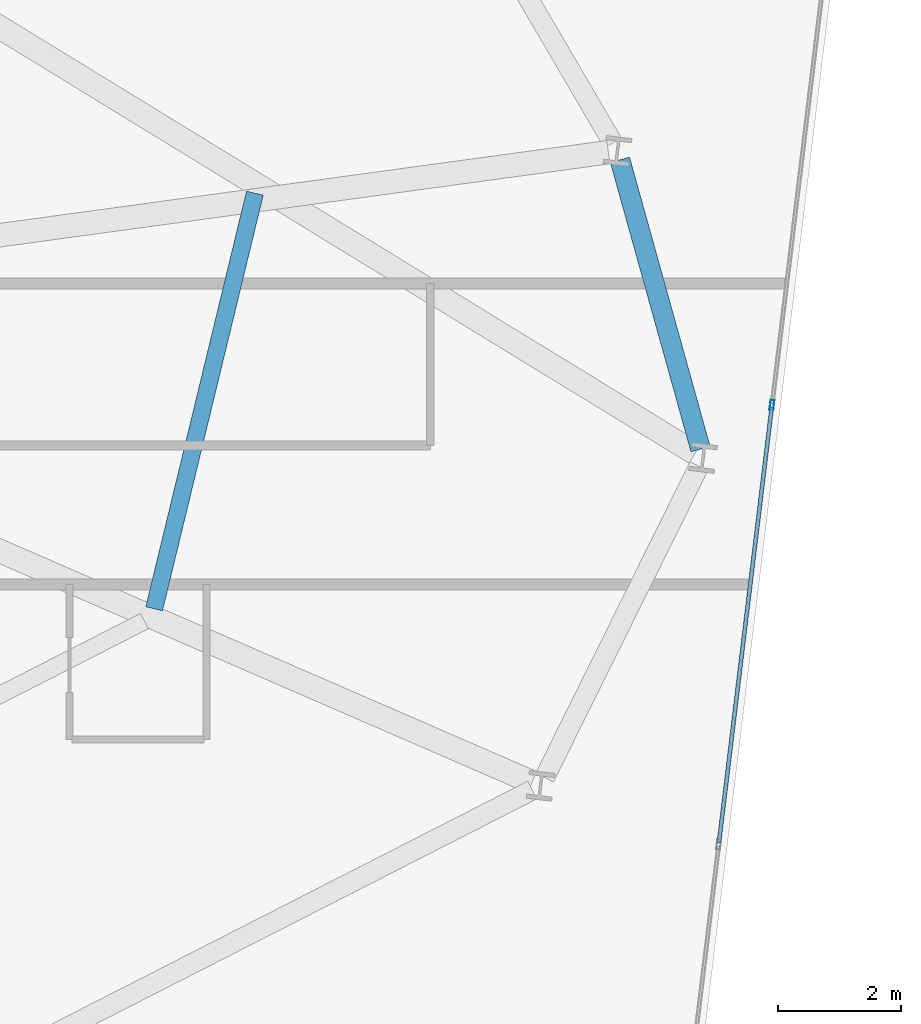
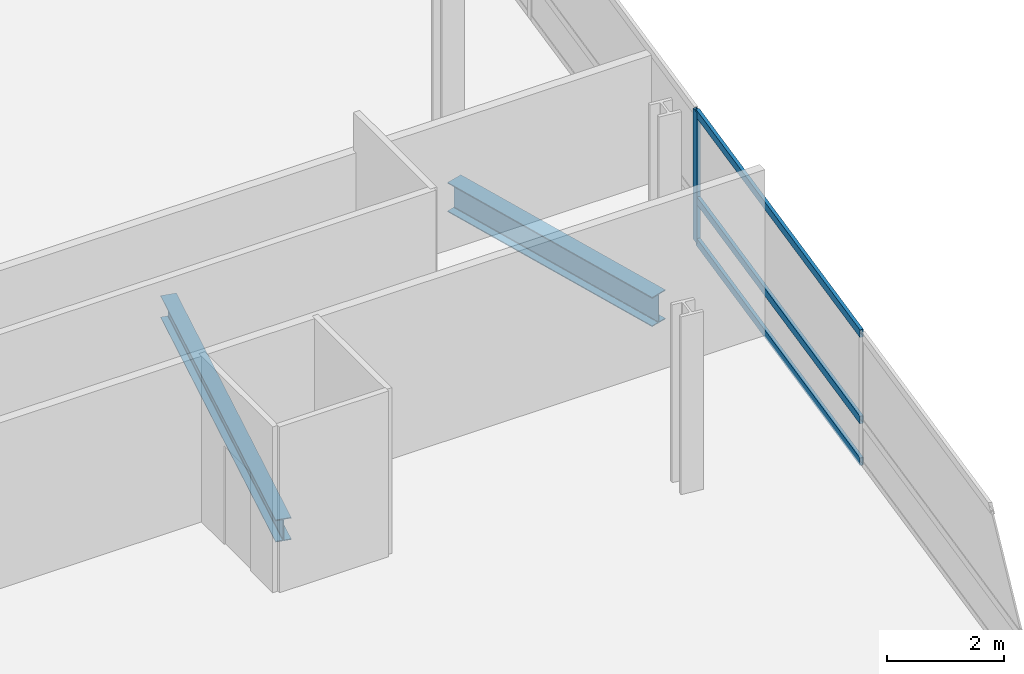
# One storey, part 15 of 25: 4 members, 2 beams, 1 element without a shape of its own.
"""IFC4 building model written with IfcOpenShell, lengths in metres."""

import ifcopenshell
import ifcopenshell.guid

model = None  # the IFC model being written
_history = None  # IfcOwnerHistory: only IFC2X3 demands one
_inside = {}  # id of a spatial element -> (the spatial element, [elements in it])
_under = {}  # id of a project, library or spatial element -> (it, [spatial elements below it])
_declared = {}  # id of a project -> (the project, [libraries it declares])
_typed = {}  # id of a type object -> (the type object, [elements of that type])
_made_of = {}  # id of a material, layer set ... -> (it, [elements and type objects made of it])


def new_model(schema):
    """Start an empty IFC model of exactly this schema.

    Asked for "IFC4X3", IfcOpenShell would pick the latest addendum, in which some entities
    have other attributes; the version numbers below select the first issue.
    IFC2X3 requires an IfcOwnerHistory on every rooted entity: one is made here for all.
    """
    global model, _history
    if schema == "IFC4X3":
        model = ifcopenshell.file(schema_version=(4, 3, 0, 0))
    else:
        model = ifcopenshell.file(schema=schema)
    _inside.clear()
    _under.clear()
    _declared.clear()
    _typed.clear()
    _made_of.clear()
    _history = None
    if model.schema == "IFC2X3":
        org = make("IfcOrganization", Name="unknown")
        user = make(
            "IfcPersonAndOrganization",
            ThePerson=make("IfcPerson", FamilyName="unknown"),
            TheOrganization=org,
        )
        app = make(
            "IfcApplication",
            ApplicationDeveloper=org,
            Version="unknown",
            ApplicationFullName="unknown",
            ApplicationIdentifier="unknown",
        )
        _history = make(
            "IfcOwnerHistory",
            OwningUser=user,
            OwningApplication=app,
            ChangeAction="ADDED",
            CreationDate=0,
        )
    return model


def make(cls, **values):
    """One entity of the class cls with the attributes given. An attribute that is None is left unset."""
    return model.create_entity(
        cls, **{name: value for name, value in values.items() if value is not None}
    )


def rooted(cls, **values):
    """An entity with a GlobalId (a new one), such as an element, a storey or a relation."""
    return make(cls, GlobalId=ifcopenshell.guid.new(), OwnerHistory=_history, **values)


def si_unit(unit_type, name, prefix=None):
    """IfcSIUnit, for example si_unit("LENGTHUNIT", "METRE", prefix="MILLI")."""
    return make("IfcSIUnit", UnitType=unit_type, Prefix=prefix, Name=name)


def assignment(units):
    """IfcUnitAssignment: the units of a project."""
    return None if units is None else make("IfcUnitAssignment", Units=units)


def point(xyz):
    """IfcCartesianPoint."""
    return None if xyz is None else make("IfcCartesianPoint", Coordinates=xyz)


def direction(xyz):
    """IfcDirection."""
    return None if xyz is None else make("IfcDirection", DirectionRatios=xyz)


def frame(location, z_axis=None, x_axis=None):
    """IfcAxis2Placement3D, a coordinate frame: its origin and axes. An axis left out is left unset."""
    return make(
        "IfcAxis2Placement3D",
        Location=point(location),
        Axis=direction(z_axis),
        RefDirection=direction(x_axis),
    )


def frame_2d(location, x_axis=None):
    """IfcAxis2Placement2D, a coordinate frame in the plane: its origin and x axis."""
    return make(
        "IfcAxis2Placement2D", Location=point(location), RefDirection=direction(x_axis)
    )


def origin():
    """The frame at (0, 0, 0) with its axes left unset."""
    return frame((0.0, 0.0, 0.0))


def origin_2d():
    """The frame at (0, 0) in the plane with its x axis left unset."""
    return frame_2d((0.0, 0.0))


def place(relative_to, where):
    """IfcLocalPlacement: puts the frame where relative to a parent placement (None: the world)."""
    return make(
        "IfcLocalPlacement", PlacementRelTo=relative_to, RelativePlacement=where
    )


def context(
    kind, dimensions, precision=None, world=None, true_north=None, identifier=None
):
    """IfcGeometricRepresentationContext, for example the 3D "Model" context."""
    return make(
        "IfcGeometricRepresentationContext",
        ContextIdentifier=identifier,
        ContextType=kind,
        CoordinateSpaceDimension=dimensions,
        Precision=precision,
        WorldCoordinateSystem=world,
        TrueNorth=true_north,
    )


def subcontext(parent, identifier, kind, view, scale=None):
    """IfcGeometricRepresentationSubContext, for example "Body" below "Model"."""
    return make(
        "IfcGeometricRepresentationSubContext",
        ContextIdentifier=identifier,
        ContextType=kind,
        ParentContext=parent,
        TargetScale=scale,
        TargetView=view,
    )


def project(units=None, contexts=None):
    """IfcProject with its units and contexts."""
    return rooted(
        "IfcProject",
        Name="project",
        RepresentationContexts=contexts,
        UnitsInContext=assignment(units),
    )


def spatial(cls, under=None, at=None, **own):
    """A site, building, storey or space (cls), placed at a placement, below another one or the project."""
    s = rooted(cls, ObjectPlacement=at, **own)
    if under is not None:
        _under.setdefault(under.id(), (under, []))[1].append(s)
    return s


def profile(cls, at=None, kind="AREA", **sizes):
    """A parametric profile (cls). Its sizes go by their IFC names, for example OverallWidth=200.0."""
    return make(cls, ProfileType=kind, Position=at, **sizes)


def hollow_rectangle(**sizes):
    """IfcRectangleHollowProfileDef."""
    return profile("IfcRectangleHollowProfileDef", **sizes)


def i_section(**sizes):
    """IfcIShapeProfileDef."""
    return profile("IfcIShapeProfileDef", **sizes)


def extrude(swept, where, along, depth):
    """IfcExtrudedAreaSolid: the profile swept, set in the frame where, extruded along a direction by depth."""
    return make(
        "IfcExtrudedAreaSolid",
        SweptArea=swept,
        Position=where,
        ExtrudedDirection=direction(along),
        Depth=depth,
    )


def shape(context_of_items, identifier, shape_type, items):
    """IfcShapeRepresentation: the items that make up one representation, for example the "Body"."""
    return make(
        "IfcShapeRepresentation",
        ContextOfItems=context_of_items,
        RepresentationIdentifier=identifier,
        RepresentationType=shape_type,
        Items=items,
    )


def material(Name=None, Category=None):
    """IfcMaterial."""
    return make("IfcMaterial", Name=Name, Category=Category)


def layer(
    of_material, thickness, ventilated=None, Name=None, Category=None, Priority=None
):
    """IfcMaterialLayer: one layer of a wall or slab, of a material (None: an air gap)."""
    return make(
        "IfcMaterialLayer",
        Material=of_material,
        LayerThickness=thickness,
        IsVentilated=ventilated,
        Name=Name,
        Category=Category,
        Priority=Priority,
    )


def layer_set(layers, Name=None):
    """IfcMaterialLayerSet."""
    return make("IfcMaterialLayerSet", MaterialLayers=layers, LayerSetName=Name)


def material_profile(
    of_material, cross_section, Name=None, Category=None, Priority=None
):
    """IfcMaterialProfile: a cross section and its material."""
    return make(
        "IfcMaterialProfile",
        Name=Name,
        Material=of_material,
        Profile=cross_section,
        Priority=Priority,
        Category=Category,
    )


def profile_set(profiles, Name=None, composite=None):
    """IfcMaterialProfileSet."""
    return make(
        "IfcMaterialProfileSet",
        Name=Name,
        MaterialProfiles=profiles,
        CompositeProfile=composite,
    )


def made_of(thing, what):
    """Note that an element or type object is made of a material, layer set ...; save() writes the relation."""
    if what is not None:
        _made_of.setdefault(what.id(), (what, []))[1].append(thing)
    return thing


def type_object(cls, material=None, **own):
    """A type object (cls), such as IfcWallType, which elements share."""
    return made_of(rooted(cls, **own), material)


def element(
    cls,
    number,
    at=None,
    inside=None,
    cuts=None,
    type_object=None,
    material=None,
    context=None,
    identifier="Body",
    shape_type=None,
    held_by="IfcProductDefinitionShape",
    body=None,
    shapes=None,
    **own,
):
    """One element of the class cls, such as IfcWall. Its Tag is "e" and its number.

    at: its placement. inside: the storey or other place that contains it. cuts: it is an
    opening in that element (IfcRelVoidsElement). A single representation is given by context,
    identifier, shape_type and body (its items); several are given by shapes. held_by: the class
    of the entity that holds the representations. save() writes the other relations.
    """
    e = rooted(cls, Tag="e%d" % number, ObjectPlacement=at, **own)
    if body is not None:
        shapes = [shape(context, identifier, shape_type, body)]
    if shapes is not None:
        e.Representation = make(held_by, Representations=shapes)
    if inside is not None:
        _inside.setdefault(inside.id(), (inside, []))[1].append(e)
    if cuts is not None:
        rooted(
            "IfcRelVoidsElement", RelatingBuildingElement=cuts, RelatedOpeningElement=e
        )
    if type_object is not None:
        _typed.setdefault(type_object.id(), (type_object, []))[1].append(e)
    return made_of(e, material)


def aggregate(whole, parts):
    """IfcRelAggregates: a whole, such as a stair, and the parts it consists of."""
    return rooted("IfcRelAggregates", RelatingObject=whole, RelatedObjects=parts)


def save(model, path):
    """Write the relations noted so far, then the file.

    IfcRelAggregates (storeys below a building ...), IfcRelContainedInSpatialStructure (elements
    in a storey), IfcRelDefinesByType, IfcRelAssociatesMaterial and IfcRelDeclares: one each for
    every whole, place, type object, material and project.
    """
    for whole, parts in _under.values():
        aggregate(whole, parts)
    for where, things in _inside.values():
        rooted(
            "IfcRelContainedInSpatialStructure",
            RelatedElements=things,
            RelatingStructure=where,
        )
    for kind, things in _typed.values():
        rooted("IfcRelDefinesByType", RelatedObjects=things, RelatingType=kind)
    for what, things in _made_of.values():
        rooted("IfcRelAssociatesMaterial", RelatedObjects=things, RelatingMaterial=what)
    for by, libraries in _declared.values():
        rooted("IfcRelDeclares", RelatingContext=by, RelatedDefinitions=libraries)
    model.write(path)


model = new_model("IFC4")

# Units and contexts
model_context = context("Model", 3, precision=1e-05, world=origin(), true_north=direction((0.0, 1.0)))
body_context = subcontext(model_context, "Body", "Model", "MODEL_VIEW")
ifc_project = project(units=[si_unit("LENGTHUNIT", "METRE"), si_unit("AREAUNIT", "SQUARE_METRE"), si_unit("VOLUMEUNIT", "CUBIC_METRE"), si_unit("PLANEANGLEUNIT", "RADIAN"), si_unit("MASSUNIT", "GRAM", prefix="KILO")], contexts=[model_context])

# Site, building, storey
site_placement = place(None, origin())
site = spatial("IfcSite", under=ifc_project, at=site_placement, CompositionType="ELEMENT")
building_placement = place(site_placement, origin())
building = spatial("IfcBuilding", under=site, at=building_placement, Name="Varnelok Gate Tower", CompositionType="ELEMENT")
storey_placement = place(building_placement, frame((0.0, 0.0, 132.800048828125)))
storey = spatial("IfcBuildingStorey", under=building, at=storey_placement, Name="L33", CompositionType="ELEMENT", Elevation=132.800048828125)

# Beams
ifc_material_1 = material(Name="Structural Steel ASTM A992 Grade 50", Category="steel")
ifc_material_profile_1 = material_profile(ifc_material_1, i_section(OverallWidth=0.280029296875, OverallDepth=0.462890625, WebThickness=0.0107421875, FlangeThickness=0.017333984375, FilletRadius=0.014892578125, at=origin_2d()), Name="W18X76")
ifc_profile_set_1 = profile_set([ifc_material_profile_1], Name="Structural Steel ASTM A992 Grade 50")
beam_type_1 = type_object("IfcBeamType", Name="BM-JST-W18X76", PredefinedType="JOIST", material=ifc_profile_set_1)
beam_1_placement = place(storey_placement, frame((65.509521484375, 13.952880859375, -0.4814453125), z_axis=(0.235590982902, 0.971852297819, 0.0), x_axis=(-0.971852297819, 0.235590982902, 0.0)))
element("IfcBeam", 1, at=beam_1_placement, inside=storey, type_object=beam_type_1, Name="L33 Sector Floor Joist 6", PredefinedType="JOIST", context=body_context, shape_type="SweptSolid", body=[
    extrude(i_section(OverallWidth=0.280029296875, OverallDepth=0.462890625, WebThickness=0.0107421875, FlangeThickness=0.017333984375, FilletRadius=0.014892578125, at=origin_2d()), origin(), (0.0, 0.0, 1.0), 6.95458984375),
])
ifc_material_profile_2 = material_profile(ifc_material_1, i_section(OverallWidth=0.323974609375, OverallDepth=0.611083984375, WebThickness=0.0126953125, FlangeThickness=0.01904296875, FilletRadius=0.01806640625, at=origin_2d()), Name="W24X104")
ifc_profile_set_2 = profile_set([ifc_material_profile_2], Name="Structural Steel ASTM A992 Grade 50")
beam_type_2 = type_object("IfcBeamType", Name="BM-SPN-W24X104", PredefinedType="SPANDREL", material=ifc_profile_set_2)
beam_2_placement = place(storey_placement, frame((74.395263671875, 16.54931640625, -0.5556640625), z_axis=(-0.26833732875, 0.963325011613, 0.0), x_axis=(-0.963325011613, -0.26833732875, 0.0)))
element("IfcBeam", 2, at=beam_2_placement, inside=storey, type_object=beam_type_2, Name="L33 Perimeter Spandrel Beam 7", PredefinedType="SPANDREL", context=body_context, shape_type="SweptSolid", body=[
    extrude(i_section(OverallWidth=0.323974609375, OverallDepth=0.611083984375, WebThickness=0.0126953125, FlangeThickness=0.01904296875, FilletRadius=0.01806640625, at=origin_2d()), origin(), (0.0, 0.0, 1.0), 4.884033203125),
])

# Curtain wall, members
ifc_material_2 = material(Name="Anodized Aluminum Alloy 6063-T6", Category="aluminium")
ifc_layer = layer(ifc_material_2, 0.179931640625)
ifc_layer_set = layer_set([ifc_layer], Name="Anodized Aluminum Alloy 6063-T6")
curtain_wall_type = type_object("IfcCurtainWallType", Name="CW3-HOTEL-VISION", PredefinedType="USERDEFINED", material=ifc_layer_set)
curtain_wall_placement = place(storey_placement, origin())
curtain_wall = element("IfcCurtainWall", 3, at=curtain_wall_placement, inside=storey, type_object=curtain_wall_type, Name="L33 East End Vision Curtain Wall", ObjectType="UNITISED CURTAIN WALL", PredefinedType="USERDEFINED")
ifc_material_profile_3 = material_profile(ifc_material_2, hollow_rectangle(XDim=0.06494140625, YDim=0.159912109375, WallThickness=0.00390625, at=origin_2d()), Name="ALU160X65X4")
ifc_profile_set_3 = profile_set([ifc_material_profile_3], Name="Anodized Aluminum Alloy 6063-T6")
member_type_1 = type_object("IfcMemberType", Name="CW-MULL-160", PredefinedType="MULLION", material=ifc_profile_set_3)
member_1_placement = place(storey_placement, frame((75.557373046875, 17.26611328125, 0.0), z_axis=(0.0, 0.0, 1.0), x_axis=(0.99273188146, -0.120347046212, 0.0)))
member_1 = element("IfcMember", 4, at=member_1_placement, type_object=member_type_1, Name="CW3 mullion 4", PredefinedType="MULLION", context=body_context, shape_type="SweptSolid", body=[
    extrude(hollow_rectangle(XDim=0.06494140625, YDim=0.159912109375, WallThickness=0.00390625, at=origin_2d()), origin(), (0.0, 0.0, 1.0), 2.72998046875),
])
ifc_material_profile_4 = material_profile(ifc_material_2, hollow_rectangle(XDim=0.06494140625, YDim=0.159912109375, WallThickness=0.00390625, at=origin_2d()), Name="ALU160X65X4")
ifc_profile_set_4 = profile_set([ifc_material_profile_4], Name="Anodized Aluminum Alloy 6063-T6")
member_type_2 = type_object("IfcMemberType", Name="CW-TRAN-160", PredefinedType="USERDEFINED", material=ifc_profile_set_4)
member_2_placement = place(storey_placement, frame((75.553466796875, 17.23388671875, 0.032470703125), z_axis=(-0.120340564253, -0.992732667235, 0.0), x_axis=(0.992732667235, -0.120340564253, 0.0)))
member_2 = element("IfcMember", 5, at=member_2_placement, type_object=member_type_2, Name="CW3 transom 4.1", ObjectType="TRANSOM", PredefinedType="USERDEFINED", context=body_context, shape_type="SweptSolid", body=[
    extrude(hollow_rectangle(XDim=0.06494140625, YDim=0.159912109375, WallThickness=0.00390625, at=origin_2d()), origin(), (0.0, 0.0, 1.0), 7.135009765625),
])
member_3_placement = place(storey_placement, frame((75.553466796875, 17.23388671875, 0.89990234375), z_axis=(-0.120340564253, -0.992732667235, 0.0), x_axis=(0.992732667235, -0.120340564253, 0.0)))
member_3 = element("IfcMember", 6, at=member_3_placement, type_object=member_type_2, Name="CW3 transom 4.2", ObjectType="TRANSOM", PredefinedType="USERDEFINED", context=body_context, shape_type="SweptSolid", body=[
    extrude(hollow_rectangle(XDim=0.06494140625, YDim=0.159912109375, WallThickness=0.00390625, at=origin_2d()), origin(), (0.0, 0.0, 1.0), 7.135009765625),
])
member_4_placement = place(storey_placement, frame((75.553466796875, 17.23388671875, 2.697509765625), z_axis=(-0.120340564253, -0.992732667235, 0.0), x_axis=(0.992732667235, -0.120340564253, 0.0)))
member_4 = element("IfcMember", 7, at=member_4_placement, type_object=member_type_2, Name="CW3 transom 4.3", ObjectType="TRANSOM", PredefinedType="USERDEFINED", context=body_context, shape_type="SweptSolid", body=[
    extrude(hollow_rectangle(XDim=0.06494140625, YDim=0.159912109375, WallThickness=0.00390625, at=origin_2d()), origin(), (0.0, 0.0, 1.0), 7.135009765625),
])
aggregate(curtain_wall, [member_1, member_2, member_3, member_4])

save(model, "model.ifc")
